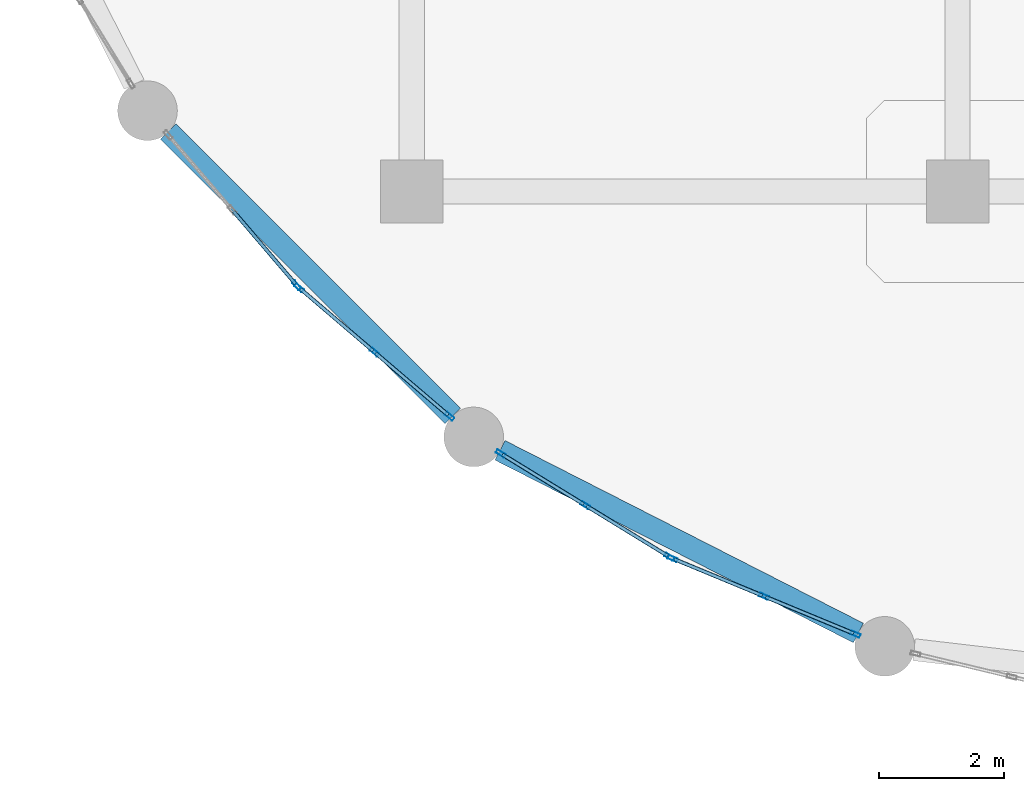
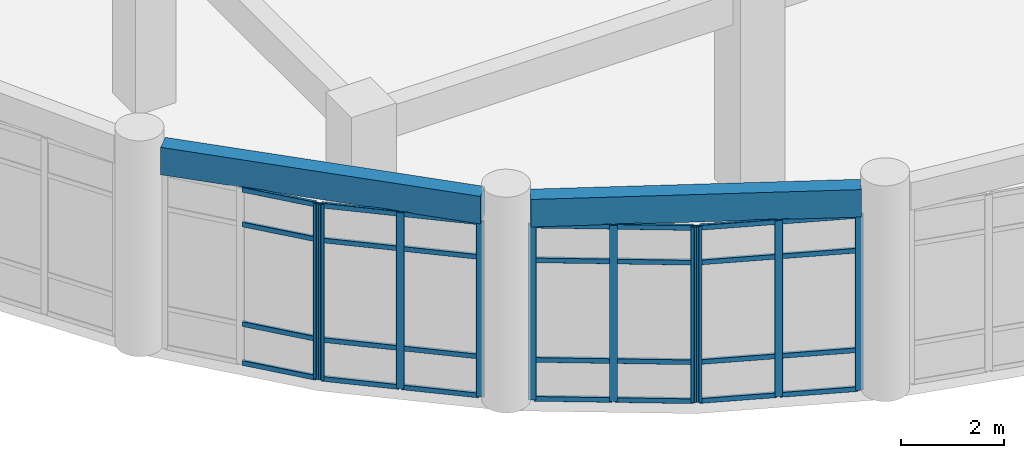
# One storey, part 2 of 120: 38 members, 2 beams, 4 elements without a shape of their own.
"""IFC4 building model written with IfcOpenShell, lengths in metres."""

from ifc_helpers import new_model, si_unit, derived_unit, direction, frame, origin, origin_2d, place, context, subcontext, project, spatial, rectangle, hollow_rectangle, extrude, material, layer, layer_set, material_profile, profile_set, type_object, element, aggregate, save


model = new_model("IFC4")

# Units and contexts
model_context = context("Model", 3, precision=1e-05, world=origin(), true_north=direction((0.0, 1.0)))
body_context = subcontext(model_context, "Body", "Model", "MODEL_VIEW")
ifc_project = project(units=[si_unit("LENGTHUNIT", "METRE"), si_unit("AREAUNIT", "SQUARE_METRE"), si_unit("VOLUMEUNIT", "CUBIC_METRE"), si_unit("PLANEANGLEUNIT", "RADIAN"), si_unit("MASSUNIT", "GRAM", prefix="KILO"), derived_unit("THERMALTRANSMITTANCEUNIT", [(si_unit("MASSUNIT", "GRAM", prefix="KILO"), 1), (si_unit("TIMEUNIT", "SECOND"), -3), (si_unit("THERMODYNAMICTEMPERATUREUNIT", "KELVIN"), -1)])], contexts=[model_context])

# Site, building, storey
site_placement = place(None, origin())
site = spatial("IfcSite", under=ifc_project, at=site_placement, CompositionType="ELEMENT")
building_placement = place(site_placement, origin())
building = spatial("IfcBuilding", under=site, at=building_placement, Name="Qinzheling Arcade Emporium", CompositionType="ELEMENT")
storey_placement = place(building_placement, frame((0.0, 0.0, 11.39990234375)))
storey = spatial("IfcBuildingStorey", under=building, at=storey_placement, Name="L03", CompositionType="ELEMENT", Elevation=11.39990234375)

# Curtain wall, members
ifc_material_1 = material(Name="Anodised aluminium and solar-control double glazing", Category="aluminium")
ifc_layer = layer(ifc_material_1, 0.159912109375, Name="Anodised aluminium and solar-control double glazing", Category="aluminium")
ifc_layer_set = layer_set([ifc_layer], Name="Anodised aluminium and solar-control double glazing")
curtain_wall_type = type_object("IfcCurtainWallType", Name="Curved Ribbon Sales Curtain Wall", PredefinedType="NOTDEFINED", material=ifc_layer_set)
curtain_wall_1_placement = place(storey_placement, origin())
curtain_wall_1 = element("IfcCurtainWall", 1, at=curtain_wall_1_placement, inside=storey, type_object=curtain_wall_type, Name="Curtain Wall CW-L03-155", PredefinedType="NOTDEFINED")
ifc_material_2 = material(Name="Anodised aluminium 6063-T6", Category="aluminium")
ifc_material_profile_1 = material_profile(ifc_material_2, hollow_rectangle(XDim=0.06005859375, YDim=0.159912109375, WallThickness=0.00390625, InnerFilletRadius=0.00390625, OuterFilletRadius=0.008056640625, at=origin_2d()), Name="RHS 160x60x4", Category="aluminium")
ifc_profile_set_1 = profile_set([ifc_material_profile_1], Name="Anodised aluminium 6063-T6")
member_type_1 = type_object("IfcMemberType", Name="Curtain Wall Mullion RHS160x60", PredefinedType="MULLION", material=ifc_profile_set_1)
member_1_placement = place(storey_placement, frame((15.769287109375, 1.344482421875, 0.0), z_axis=(0.0, 0.0, 1.0), x_axis=(-0.382535212849, -0.923940913117, 0.0)))
member_1 = element("IfcMember", 2, at=member_1_placement, type_object=member_type_1, Name="CW02 mullion 1", PredefinedType="MULLION", context=body_context, shape_type="SweptSolid", body=[
    extrude(hollow_rectangle(XDim=0.06005859375, YDim=0.159912109375, WallThickness=0.00390625, InnerFilletRadius=0.00390625, OuterFilletRadius=0.008056640625, at=origin_2d()), origin(), (0.0, 0.0, 1.0), 4.155029296875),
])
member_2_placement = place(storey_placement, frame((14.31396484375, 1.947021484375, 0.0), z_axis=(0.0, 0.0, 1.0), x_axis=(-0.382535212849, -0.923940913117, 0.0)))
member_2 = element("IfcMember", 3, at=member_2_placement, type_object=member_type_1, Name="CW02 mullion 2", PredefinedType="MULLION", context=body_context, shape_type="SweptSolid", body=[
    extrude(hollow_rectangle(XDim=0.06005859375, YDim=0.159912109375, WallThickness=0.00390625, InnerFilletRadius=0.00390625, OuterFilletRadius=0.008056640625, at=origin_2d()), origin(), (0.0, 0.0, 1.0), 4.155029296875),
])
member_3_placement = place(storey_placement, frame((12.858642578125, 2.549560546875, 0.0), z_axis=(0.0, 0.0, 1.0), x_axis=(-0.382535212849, -0.923940913117, 0.0)))
member_3 = element("IfcMember", 4, at=member_3_placement, type_object=member_type_1, Name="CW02 mullion 3", PredefinedType="MULLION", context=body_context, shape_type="SweptSolid", body=[
    extrude(hollow_rectangle(XDim=0.06005859375, YDim=0.159912109375, WallThickness=0.00390625, InnerFilletRadius=0.00390625, OuterFilletRadius=0.008056640625, at=origin_2d()), origin(), (0.0, 0.0, 1.0), 4.155029296875),
])

curtain_wall_2_placement = place(storey_placement, origin())
curtain_wall_2 = element("IfcCurtainWall", 5, at=curtain_wall_2_placement, inside=storey, type_object=curtain_wall_type, Name="Curtain Wall CW-L03-156", PredefinedType="NOTDEFINED")
member_4_placement = place(storey_placement, frame((12.805419921875, 2.57666015625, 0.0), z_axis=(0.0, 0.0, 1.0), x_axis=(-0.522671615243, -0.852534094696, 0.0)))
member_4 = element("IfcMember", 6, at=member_4_placement, type_object=member_type_1, Name="CW02 mullion 1", PredefinedType="MULLION", context=body_context, shape_type="SweptSolid", body=[
    extrude(hollow_rectangle(XDim=0.06005859375, YDim=0.159912109375, WallThickness=0.00390625, InnerFilletRadius=0.00390625, OuterFilletRadius=0.008056640625, at=origin_2d()), origin(), (0.0, 0.0, 1.0), 4.155029296875),
])
member_5_placement = place(storey_placement, frame((11.46240234375, 3.39990234375, 0.0), z_axis=(0.0, 0.0, 1.0), x_axis=(-0.522671615243, -0.852534094696, 0.0)))
member_5 = element("IfcMember", 7, at=member_5_placement, type_object=member_type_1, Name="CW02 mullion 2", PredefinedType="MULLION", context=body_context, shape_type="SweptSolid", body=[
    extrude(hollow_rectangle(XDim=0.06005859375, YDim=0.159912109375, WallThickness=0.00390625, InnerFilletRadius=0.00390625, OuterFilletRadius=0.008056640625, at=origin_2d()), origin(), (0.0, 0.0, 1.0), 4.155029296875),
])
member_6_placement = place(storey_placement, frame((10.11962890625, 4.223388671875, 0.0), z_axis=(0.0, 0.0, 1.0), x_axis=(-0.522671615243, -0.852534094696, 0.0)))
member_6 = element("IfcMember", 8, at=member_6_placement, type_object=member_type_1, Name="CW02 mullion 3", PredefinedType="MULLION", context=body_context, shape_type="SweptSolid", body=[
    extrude(hollow_rectangle(XDim=0.06005859375, YDim=0.159912109375, WallThickness=0.00390625, InnerFilletRadius=0.00390625, OuterFilletRadius=0.008056640625, at=origin_2d()), origin(), (0.0, 0.0, 1.0), 4.155029296875),
])

curtain_wall_3_placement = place(storey_placement, origin())
curtain_wall_3 = element("IfcCurtainWall", 9, at=curtain_wall_3_placement, inside=storey, type_object=curtain_wall_type, Name="Curtain Wall CW-L03-157", PredefinedType="NOTDEFINED")
member_7_placement = place(storey_placement, frame((9.30126953125, 4.8173828125, 0.0), z_axis=(0.0, 0.0, 1.0), x_axis=(-0.649482098021, -0.760376883098, 0.0)))
member_7 = element("IfcMember", 10, at=member_7_placement, type_object=member_type_1, Name="CW02 mullion 1", PredefinedType="MULLION", context=body_context, shape_type="SweptSolid", body=[
    extrude(hollow_rectangle(XDim=0.06005859375, YDim=0.159912109375, WallThickness=0.00390625, InnerFilletRadius=0.00390625, OuterFilletRadius=0.008056640625, at=origin_2d()), origin(), (0.0, 0.0, 1.0), 4.155029296875),
])
member_8_placement = place(storey_placement, frame((8.103515625, 5.840576171875, 0.0), z_axis=(0.0, 0.0, 1.0), x_axis=(-0.649482098021, -0.760376883098, 0.0)))
member_8 = element("IfcMember", 11, at=member_8_placement, type_object=member_type_1, Name="CW02 mullion 2", PredefinedType="MULLION", context=body_context, shape_type="SweptSolid", body=[
    extrude(hollow_rectangle(XDim=0.06005859375, YDim=0.159912109375, WallThickness=0.00390625, InnerFilletRadius=0.00390625, OuterFilletRadius=0.008056640625, at=origin_2d()), origin(), (0.0, 0.0, 1.0), 4.155029296875),
])
member_9_placement = place(storey_placement, frame((6.90576171875, 6.863525390625, 0.0), z_axis=(0.0, 0.0, 1.0), x_axis=(-0.649482098021, -0.760376883098, 0.0)))
member_9 = element("IfcMember", 12, at=member_9_placement, type_object=member_type_1, Name="CW02 mullion 3", PredefinedType="MULLION", context=body_context, shape_type="SweptSolid", body=[
    extrude(hollow_rectangle(XDim=0.06005859375, YDim=0.159912109375, WallThickness=0.00390625, InnerFilletRadius=0.00390625, OuterFilletRadius=0.008056640625, at=origin_2d()), origin(), (0.0, 0.0, 1.0), 4.155029296875),
])

# Curtain wall, member
curtain_wall_4_placement = place(storey_placement, origin())
curtain_wall_4 = element("IfcCurtainWall", 13, at=curtain_wall_4_placement, inside=storey, type_object=curtain_wall_type, Name="Curtain Wall CW-L03-158", PredefinedType="NOTDEFINED")
member_10_placement = place(storey_placement, frame((6.863525390625, 6.90576171875, 0.0), z_axis=(0.0, 0.0, 1.0), x_axis=(-0.760376883098, -0.649482098021, 0.0)))
member_10 = element("IfcMember", 14, at=member_10_placement, type_object=member_type_1, Name="CW02 mullion 1", PredefinedType="MULLION", context=body_context, shape_type="SweptSolid", body=[
    extrude(hollow_rectangle(XDim=0.06005859375, YDim=0.159912109375, WallThickness=0.00390625, InnerFilletRadius=0.00390625, OuterFilletRadius=0.008056640625, at=origin_2d()), origin(), (0.0, 0.0, 1.0), 4.155029296875),
])

# Member
ifc_material_profile_2 = material_profile(ifc_material_2, hollow_rectangle(XDim=0.06005859375, YDim=0.1201171875, WallThickness=0.00390625, InnerFilletRadius=0.00390625, OuterFilletRadius=0.008056640625, at=origin_2d()), Name="RHS 120x60x4", Category="aluminium")
ifc_profile_set_2 = profile_set([ifc_material_profile_2], Name="Anodised aluminium 6063-T6")
member_type_2 = type_object("IfcMemberType", Name="Curtain Wall Transom RHS120x60", PredefinedType="USERDEFINED", material=ifc_profile_set_2)
member_11_placement = place(storey_placement, frame((15.741455078125, 1.35595703125, 0.030029296875), z_axis=(-0.923918634676, 0.382589017743, 0.0), x_axis=(-0.382589017743, -0.923918634676, 0.0)))
member_11 = element("IfcMember", 15, at=member_11_placement, type_object=member_type_2, Name="CW02 transom 1.1", ObjectType="TRANSOM", PredefinedType="USERDEFINED", context=body_context, shape_type="SweptSolid", body=[
    extrude(hollow_rectangle(XDim=0.06005859375, YDim=0.1201171875, WallThickness=0.00390625, InnerFilletRadius=0.00390625, OuterFilletRadius=0.008056640625, at=origin_2d()), origin(), (0.0, 0.0, 1.0), 1.514892578125),
])

member_12_placement = place(storey_placement, frame((15.741455078125, 1.35595703125, 0.9501953125), z_axis=(-0.923918634676, 0.382589017743, 0.0), x_axis=(-0.382589017743, -0.923918634676, 0.0)))
member_12 = element("IfcMember", 16, at=member_12_placement, type_object=member_type_2, Name="CW02 transom 1.2", ObjectType="TRANSOM", PredefinedType="USERDEFINED", context=body_context, shape_type="SweptSolid", body=[
    extrude(hollow_rectangle(XDim=0.06005859375, YDim=0.1201171875, WallThickness=0.00390625, InnerFilletRadius=0.00390625, OuterFilletRadius=0.008056640625, at=origin_2d()), origin(), (0.0, 0.0, 1.0), 1.514892578125),
])

member_13_placement = place(storey_placement, frame((15.741455078125, 1.35595703125, 3.30517578125), z_axis=(-0.923918634676, 0.382589017743, 0.0), x_axis=(-0.382589017743, -0.923918634676, 0.0)))
member_13 = element("IfcMember", 17, at=member_13_placement, type_object=member_type_2, Name="CW02 transom 1.3", ObjectType="TRANSOM", PredefinedType="USERDEFINED", context=body_context, shape_type="SweptSolid", body=[
    extrude(hollow_rectangle(XDim=0.06005859375, YDim=0.1201171875, WallThickness=0.00390625, InnerFilletRadius=0.00390625, OuterFilletRadius=0.008056640625, at=origin_2d()), origin(), (0.0, 0.0, 1.0), 1.514892578125),
])

member_14_placement = place(storey_placement, frame((15.741455078125, 1.35595703125, 4.125), z_axis=(-0.923918634676, 0.382589017743, 0.0), x_axis=(-0.382589017743, -0.923918634676, 0.0)))
member_14 = element("IfcMember", 18, at=member_14_placement, type_object=member_type_2, Name="CW02 transom 1.4", ObjectType="TRANSOM", PredefinedType="USERDEFINED", context=body_context, shape_type="SweptSolid", body=[
    extrude(hollow_rectangle(XDim=0.06005859375, YDim=0.1201171875, WallThickness=0.00390625, InnerFilletRadius=0.00390625, OuterFilletRadius=0.008056640625, at=origin_2d()), origin(), (0.0, 0.0, 1.0), 1.514892578125),
])

member_15_placement = place(storey_placement, frame((14.286376953125, 1.95849609375, 0.030029296875), z_axis=(-0.923942218803, 0.382532059197, 0.0), x_axis=(-0.382532059197, -0.923942218803, 0.0)))
member_15 = element("IfcMember", 19, at=member_15_placement, type_object=member_type_2, Name="CW02 transom 2.1", ObjectType="TRANSOM", PredefinedType="USERDEFINED", context=body_context, shape_type="SweptSolid", body=[
    extrude(hollow_rectangle(XDim=0.06005859375, YDim=0.1201171875, WallThickness=0.00390625, InnerFilletRadius=0.00390625, OuterFilletRadius=0.008056640625, at=origin_2d()), origin(), (0.0, 0.0, 1.0), 1.51513671875),
])

member_16_placement = place(storey_placement, frame((14.286376953125, 1.95849609375, 0.9501953125), z_axis=(-0.923942218803, 0.382532059197, 0.0), x_axis=(-0.382532059197, -0.923942218803, 0.0)))
member_16 = element("IfcMember", 20, at=member_16_placement, type_object=member_type_2, Name="CW02 transom 2.2", ObjectType="TRANSOM", PredefinedType="USERDEFINED", context=body_context, shape_type="SweptSolid", body=[
    extrude(hollow_rectangle(XDim=0.06005859375, YDim=0.1201171875, WallThickness=0.00390625, InnerFilletRadius=0.00390625, OuterFilletRadius=0.008056640625, at=origin_2d()), origin(), (0.0, 0.0, 1.0), 1.51513671875),
])

member_17_placement = place(storey_placement, frame((14.286376953125, 1.95849609375, 3.30517578125), z_axis=(-0.923942218803, 0.382532059197, 0.0), x_axis=(-0.382532059197, -0.923942218803, 0.0)))
member_17 = element("IfcMember", 21, at=member_17_placement, type_object=member_type_2, Name="CW02 transom 2.3", ObjectType="TRANSOM", PredefinedType="USERDEFINED", context=body_context, shape_type="SweptSolid", body=[
    extrude(hollow_rectangle(XDim=0.06005859375, YDim=0.1201171875, WallThickness=0.00390625, InnerFilletRadius=0.00390625, OuterFilletRadius=0.008056640625, at=origin_2d()), origin(), (0.0, 0.0, 1.0), 1.51513671875),
])

member_18_placement = place(storey_placement, frame((14.286376953125, 1.95849609375, 4.125), z_axis=(-0.923942218803, 0.382532059197, 0.0), x_axis=(-0.382532059197, -0.923942218803, 0.0)))
member_18 = element("IfcMember", 22, at=member_18_placement, type_object=member_type_2, Name="CW02 transom 2.4", ObjectType="TRANSOM", PredefinedType="USERDEFINED", context=body_context, shape_type="SweptSolid", body=[
    extrude(hollow_rectangle(XDim=0.06005859375, YDim=0.1201171875, WallThickness=0.00390625, InnerFilletRadius=0.00390625, OuterFilletRadius=0.008056640625, at=origin_2d()), origin(), (0.0, 0.0, 1.0), 1.51513671875),
])

aggregate(curtain_wall_1, [member_1, member_2, member_3, member_11, member_12, member_13, member_14, member_15, member_16, member_17, member_18])

member_19_placement = place(storey_placement, frame((12.77978515625, 2.59228515625, 0.030029296875), z_axis=(-0.852520191393, 0.522694292361, 0.0), x_axis=(-0.522694292361, -0.852520191393, 0.0)))
member_19 = element("IfcMember", 23, at=member_19_placement, type_object=member_type_2, Name="CW02 transom 1.1", ObjectType="TRANSOM", PredefinedType="USERDEFINED", context=body_context, shape_type="SweptSolid", body=[
    extrude(hollow_rectangle(XDim=0.06005859375, YDim=0.1201171875, WallThickness=0.00390625, InnerFilletRadius=0.00390625, OuterFilletRadius=0.008056640625, at=origin_2d()), origin(), (0.0, 0.0, 1.0), 1.51513671875),
])

member_20_placement = place(storey_placement, frame((12.77978515625, 2.59228515625, 0.9501953125), z_axis=(-0.852520191393, 0.522694292361, 0.0), x_axis=(-0.522694292361, -0.852520191393, 0.0)))
member_20 = element("IfcMember", 24, at=member_20_placement, type_object=member_type_2, Name="CW02 transom 1.2", ObjectType="TRANSOM", PredefinedType="USERDEFINED", context=body_context, shape_type="SweptSolid", body=[
    extrude(hollow_rectangle(XDim=0.06005859375, YDim=0.1201171875, WallThickness=0.00390625, InnerFilletRadius=0.00390625, OuterFilletRadius=0.008056640625, at=origin_2d()), origin(), (0.0, 0.0, 1.0), 1.51513671875),
])

member_21_placement = place(storey_placement, frame((12.77978515625, 2.59228515625, 3.30517578125), z_axis=(-0.852520191393, 0.522694292361, 0.0), x_axis=(-0.522694292361, -0.852520191393, 0.0)))
member_21 = element("IfcMember", 25, at=member_21_placement, type_object=member_type_2, Name="CW02 transom 1.3", ObjectType="TRANSOM", PredefinedType="USERDEFINED", context=body_context, shape_type="SweptSolid", body=[
    extrude(hollow_rectangle(XDim=0.06005859375, YDim=0.1201171875, WallThickness=0.00390625, InnerFilletRadius=0.00390625, OuterFilletRadius=0.008056640625, at=origin_2d()), origin(), (0.0, 0.0, 1.0), 1.51513671875),
])

member_22_placement = place(storey_placement, frame((12.77978515625, 2.59228515625, 4.125), z_axis=(-0.852520191393, 0.522694292361, 0.0), x_axis=(-0.522694292361, -0.852520191393, 0.0)))
member_22 = element("IfcMember", 26, at=member_22_placement, type_object=member_type_2, Name="CW02 transom 1.4", ObjectType="TRANSOM", PredefinedType="USERDEFINED", context=body_context, shape_type="SweptSolid", body=[
    extrude(hollow_rectangle(XDim=0.06005859375, YDim=0.1201171875, WallThickness=0.00390625, InnerFilletRadius=0.00390625, OuterFilletRadius=0.008056640625, at=origin_2d()), origin(), (0.0, 0.0, 1.0), 1.51513671875),
])

member_23_placement = place(storey_placement, frame((11.43701171875, 3.415771484375, 0.030029296875), z_axis=(-0.852591988553, 0.522577172345, 0.0), x_axis=(-0.522577172345, -0.852591988553, 0.0)))
member_23 = element("IfcMember", 27, at=member_23_placement, type_object=member_type_2, Name="CW02 transom 2.1", ObjectType="TRANSOM", PredefinedType="USERDEFINED", context=body_context, shape_type="SweptSolid", body=[
    extrude(hollow_rectangle(XDim=0.06005859375, YDim=0.1201171875, WallThickness=0.00390625, InnerFilletRadius=0.00390625, OuterFilletRadius=0.008056640625, at=origin_2d()), origin(), (0.0, 0.0, 1.0), 1.51513671875),
])

member_24_placement = place(storey_placement, frame((11.43701171875, 3.415771484375, 0.9501953125), z_axis=(-0.852591988553, 0.522577172345, 0.0), x_axis=(-0.522577172345, -0.852591988553, 0.0)))
member_24 = element("IfcMember", 28, at=member_24_placement, type_object=member_type_2, Name="CW02 transom 2.2", ObjectType="TRANSOM", PredefinedType="USERDEFINED", context=body_context, shape_type="SweptSolid", body=[
    extrude(hollow_rectangle(XDim=0.06005859375, YDim=0.1201171875, WallThickness=0.00390625, InnerFilletRadius=0.00390625, OuterFilletRadius=0.008056640625, at=origin_2d()), origin(), (0.0, 0.0, 1.0), 1.51513671875),
])

member_25_placement = place(storey_placement, frame((11.43701171875, 3.415771484375, 3.30517578125), z_axis=(-0.852591988553, 0.522577172345, 0.0), x_axis=(-0.522577172345, -0.852591988553, 0.0)))
member_25 = element("IfcMember", 29, at=member_25_placement, type_object=member_type_2, Name="CW02 transom 2.3", ObjectType="TRANSOM", PredefinedType="USERDEFINED", context=body_context, shape_type="SweptSolid", body=[
    extrude(hollow_rectangle(XDim=0.06005859375, YDim=0.1201171875, WallThickness=0.00390625, InnerFilletRadius=0.00390625, OuterFilletRadius=0.008056640625, at=origin_2d()), origin(), (0.0, 0.0, 1.0), 1.51513671875),
])

member_26_placement = place(storey_placement, frame((11.43701171875, 3.415771484375, 4.125), z_axis=(-0.852591988553, 0.522577172345, 0.0), x_axis=(-0.522577172345, -0.852591988553, 0.0)))
member_26 = element("IfcMember", 30, at=member_26_placement, type_object=member_type_2, Name="CW02 transom 2.4", ObjectType="TRANSOM", PredefinedType="USERDEFINED", context=body_context, shape_type="SweptSolid", body=[
    extrude(hollow_rectangle(XDim=0.06005859375, YDim=0.1201171875, WallThickness=0.00390625, InnerFilletRadius=0.00390625, OuterFilletRadius=0.008056640625, at=origin_2d()), origin(), (0.0, 0.0, 1.0), 1.51513671875),
])

aggregate(curtain_wall_2, [member_4, member_5, member_6, member_19, member_20, member_21, member_22, member_23, member_24, member_25, member_26])

member_27_placement = place(storey_placement, frame((9.2783203125, 4.8369140625, 0.030029296875), z_axis=(-0.760358758069, 0.64950331718, 0.0), x_axis=(-0.64950331718, -0.760358758069, 0.0)))
member_27 = element("IfcMember", 31, at=member_27_placement, type_object=member_type_2, Name="CW02 transom 1.1", ObjectType="TRANSOM", PredefinedType="USERDEFINED", context=body_context, shape_type="SweptSolid", body=[
    extrude(hollow_rectangle(XDim=0.06005859375, YDim=0.1201171875, WallThickness=0.00390625, InnerFilletRadius=0.00390625, OuterFilletRadius=0.008056640625, at=origin_2d()), origin(), (0.0, 0.0, 1.0), 1.51513671875),
])

member_28_placement = place(storey_placement, frame((9.2783203125, 4.8369140625, 0.9501953125), z_axis=(-0.760358758069, 0.64950331718, 0.0), x_axis=(-0.64950331718, -0.760358758069, 0.0)))
member_28 = element("IfcMember", 32, at=member_28_placement, type_object=member_type_2, Name="CW02 transom 1.2", ObjectType="TRANSOM", PredefinedType="USERDEFINED", context=body_context, shape_type="SweptSolid", body=[
    extrude(hollow_rectangle(XDim=0.06005859375, YDim=0.1201171875, WallThickness=0.00390625, InnerFilletRadius=0.00390625, OuterFilletRadius=0.008056640625, at=origin_2d()), origin(), (0.0, 0.0, 1.0), 1.51513671875),
])

member_29_placement = place(storey_placement, frame((9.2783203125, 4.8369140625, 3.30517578125), z_axis=(-0.760358758069, 0.64950331718, 0.0), x_axis=(-0.64950331718, -0.760358758069, 0.0)))
member_29 = element("IfcMember", 33, at=member_29_placement, type_object=member_type_2, Name="CW02 transom 1.3", ObjectType="TRANSOM", PredefinedType="USERDEFINED", context=body_context, shape_type="SweptSolid", body=[
    extrude(hollow_rectangle(XDim=0.06005859375, YDim=0.1201171875, WallThickness=0.00390625, InnerFilletRadius=0.00390625, OuterFilletRadius=0.008056640625, at=origin_2d()), origin(), (0.0, 0.0, 1.0), 1.51513671875),
])

member_30_placement = place(storey_placement, frame((9.2783203125, 4.8369140625, 4.125), z_axis=(-0.760358758069, 0.64950331718, 0.0), x_axis=(-0.64950331718, -0.760358758069, 0.0)))
member_30 = element("IfcMember", 34, at=member_30_placement, type_object=member_type_2, Name="CW02 transom 1.4", ObjectType="TRANSOM", PredefinedType="USERDEFINED", context=body_context, shape_type="SweptSolid", body=[
    extrude(hollow_rectangle(XDim=0.06005859375, YDim=0.1201171875, WallThickness=0.00390625, InnerFilletRadius=0.00390625, OuterFilletRadius=0.008056640625, at=origin_2d()), origin(), (0.0, 0.0, 1.0), 1.51513671875),
])

member_31_placement = place(storey_placement, frame((8.080810546875, 5.85986328125, 0.030029296875), z_axis=(-0.760358758069, 0.64950331718, 0.0), x_axis=(-0.64950331718, -0.760358758069, 0.0)))
member_31 = element("IfcMember", 35, at=member_31_placement, type_object=member_type_2, Name="CW02 transom 2.1", ObjectType="TRANSOM", PredefinedType="USERDEFINED", context=body_context, shape_type="SweptSolid", body=[
    extrude(hollow_rectangle(XDim=0.06005859375, YDim=0.1201171875, WallThickness=0.00390625, InnerFilletRadius=0.00390625, OuterFilletRadius=0.008056640625, at=origin_2d()), origin(), (0.0, 0.0, 1.0), 1.51513671875),
])

member_32_placement = place(storey_placement, frame((8.080810546875, 5.85986328125, 0.9501953125), z_axis=(-0.760358758069, 0.64950331718, 0.0), x_axis=(-0.64950331718, -0.760358758069, 0.0)))
member_32 = element("IfcMember", 36, at=member_32_placement, type_object=member_type_2, Name="CW02 transom 2.2", ObjectType="TRANSOM", PredefinedType="USERDEFINED", context=body_context, shape_type="SweptSolid", body=[
    extrude(hollow_rectangle(XDim=0.06005859375, YDim=0.1201171875, WallThickness=0.00390625, InnerFilletRadius=0.00390625, OuterFilletRadius=0.008056640625, at=origin_2d()), origin(), (0.0, 0.0, 1.0), 1.51513671875),
])

member_33_placement = place(storey_placement, frame((8.080810546875, 5.85986328125, 3.30517578125), z_axis=(-0.760358758069, 0.64950331718, 0.0), x_axis=(-0.64950331718, -0.760358758069, 0.0)))
member_33 = element("IfcMember", 37, at=member_33_placement, type_object=member_type_2, Name="CW02 transom 2.3", ObjectType="TRANSOM", PredefinedType="USERDEFINED", context=body_context, shape_type="SweptSolid", body=[
    extrude(hollow_rectangle(XDim=0.06005859375, YDim=0.1201171875, WallThickness=0.00390625, InnerFilletRadius=0.00390625, OuterFilletRadius=0.008056640625, at=origin_2d()), origin(), (0.0, 0.0, 1.0), 1.51513671875),
])

member_34_placement = place(storey_placement, frame((8.080810546875, 5.85986328125, 4.125), z_axis=(-0.760358758069, 0.64950331718, 0.0), x_axis=(-0.64950331718, -0.760358758069, 0.0)))
member_34 = element("IfcMember", 38, at=member_34_placement, type_object=member_type_2, Name="CW02 transom 2.4", ObjectType="TRANSOM", PredefinedType="USERDEFINED", context=body_context, shape_type="SweptSolid", body=[
    extrude(hollow_rectangle(XDim=0.06005859375, YDim=0.1201171875, WallThickness=0.00390625, InnerFilletRadius=0.00390625, OuterFilletRadius=0.008056640625, at=origin_2d()), origin(), (0.0, 0.0, 1.0), 1.51513671875),
])

aggregate(curtain_wall_3, [member_7, member_8, member_9, member_27, member_28, member_29, member_30, member_31, member_32, member_33, member_34])

member_35_placement = place(storey_placement, frame((6.843994140625, 6.9287109375, 0.030029296875), z_axis=(-0.64950331718, 0.760358758069, 0.0), x_axis=(-0.760358758069, -0.64950331718, 0.0)))
member_35 = element("IfcMember", 39, at=member_35_placement, type_object=member_type_2, Name="CW02 transom 1.1", ObjectType="TRANSOM", PredefinedType="USERDEFINED", context=body_context, shape_type="SweptSolid", body=[
    extrude(hollow_rectangle(XDim=0.06005859375, YDim=0.1201171875, WallThickness=0.00390625, InnerFilletRadius=0.00390625, OuterFilletRadius=0.008056640625, at=origin_2d()), origin(), (0.0, 0.0, 1.0), 1.51513671875),
])

member_36_placement = place(storey_placement, frame((6.843994140625, 6.9287109375, 0.9501953125), z_axis=(-0.64950331718, 0.760358758069, 0.0), x_axis=(-0.760358758069, -0.64950331718, 0.0)))
member_36 = element("IfcMember", 40, at=member_36_placement, type_object=member_type_2, Name="CW02 transom 1.2", ObjectType="TRANSOM", PredefinedType="USERDEFINED", context=body_context, shape_type="SweptSolid", body=[
    extrude(hollow_rectangle(XDim=0.06005859375, YDim=0.1201171875, WallThickness=0.00390625, InnerFilletRadius=0.00390625, OuterFilletRadius=0.008056640625, at=origin_2d()), origin(), (0.0, 0.0, 1.0), 1.51513671875),
])

member_37_placement = place(storey_placement, frame((6.843994140625, 6.9287109375, 3.30517578125), z_axis=(-0.64950331718, 0.760358758069, 0.0), x_axis=(-0.760358758069, -0.64950331718, 0.0)))
member_37 = element("IfcMember", 41, at=member_37_placement, type_object=member_type_2, Name="CW02 transom 1.3", ObjectType="TRANSOM", PredefinedType="USERDEFINED", context=body_context, shape_type="SweptSolid", body=[
    extrude(hollow_rectangle(XDim=0.06005859375, YDim=0.1201171875, WallThickness=0.00390625, InnerFilletRadius=0.00390625, OuterFilletRadius=0.008056640625, at=origin_2d()), origin(), (0.0, 0.0, 1.0), 1.51513671875),
])

member_38_placement = place(storey_placement, frame((6.843994140625, 6.9287109375, 4.125), z_axis=(-0.64950331718, 0.760358758069, 0.0), x_axis=(-0.760358758069, -0.64950331718, 0.0)))
member_38 = element("IfcMember", 42, at=member_38_placement, type_object=member_type_2, Name="CW02 transom 1.4", ObjectType="TRANSOM", PredefinedType="USERDEFINED", context=body_context, shape_type="SweptSolid", body=[
    extrude(hollow_rectangle(XDim=0.06005859375, YDim=0.1201171875, WallThickness=0.00390625, InnerFilletRadius=0.00390625, OuterFilletRadius=0.008056640625, at=origin_2d()), origin(), (0.0, 0.0, 1.0), 1.51513671875),
])

aggregate(curtain_wall_4, [member_10, member_35, member_36, member_37, member_38])

# Beams
ifc_material_3 = material(Name="Concrete C40", Category="concrete")
ifc_material_profile_3 = material_profile(ifc_material_3, rectangle(XDim=0.35009765625, YDim=0.64990234375, at=origin_2d()), Name="RC 350x650", Category="concrete")
ifc_profile_set_3 = profile_set([ifc_material_profile_3], Name="Concrete C40")
beam_type = type_object("IfcBeamType", Name="RC Spandrel Edge Beam 350x650 C40", PredefinedType="SPANDREL", material=ifc_profile_set_3)
beam_1_placement = place(storey_placement, frame((4.820068359375, 9.35498046875, 4.4951171875), z_axis=(0.707106781187, -0.707106781187, 0.0), x_axis=(0.707106781187, 0.707106781187, 0.0)))
element("IfcBeam", 43, at=beam_1_placement, inside=storey, type_object=beam_type, Name="Curved Arcade Spandrel BM-L03-CV1-B03", PredefinedType="SPANDREL", context=body_context, shape_type="SweptSolid", body=[
    extrude(rectangle(XDim=0.35009765625, YDim=0.64990234375, at=origin_2d()), origin(), (0.0, 0.0, 1.0), 6.413330078125),
])
beam_2_placement = place(storey_placement, frame((10.10595703125, 4.27490234375, 4.4951171875), z_axis=(0.890951151868, -0.454099157657, 0.0), x_axis=(0.454099157657, 0.890951151868, 0.0)))
element("IfcBeam", 44, at=beam_2_placement, inside=storey, type_object=beam_type, Name="Curved Arcade Spandrel BM-L03-CV1-B04", PredefinedType="SPANDREL", context=body_context, shape_type="SweptSolid", body=[
    extrude(rectangle(XDim=0.35009765625, YDim=0.64990234375, at=origin_2d()), origin(), (0.0, 0.0, 1.0), 6.412353515625),
])

save(model, "model.ifc")
